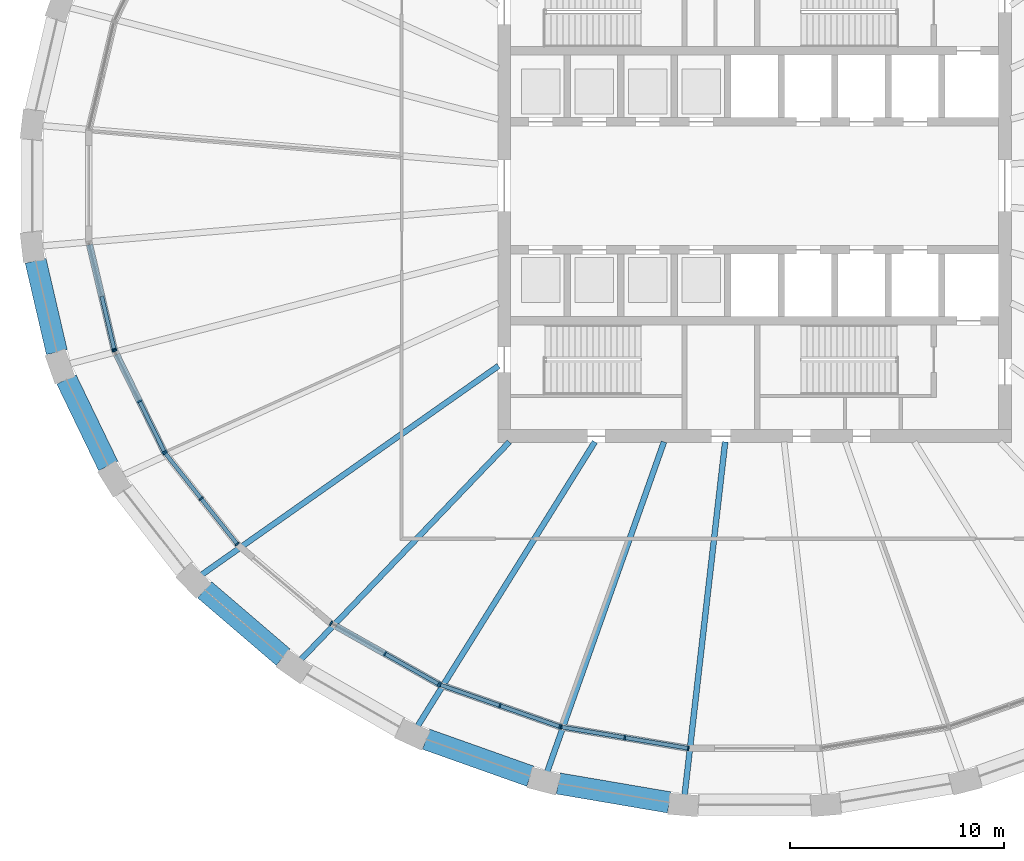
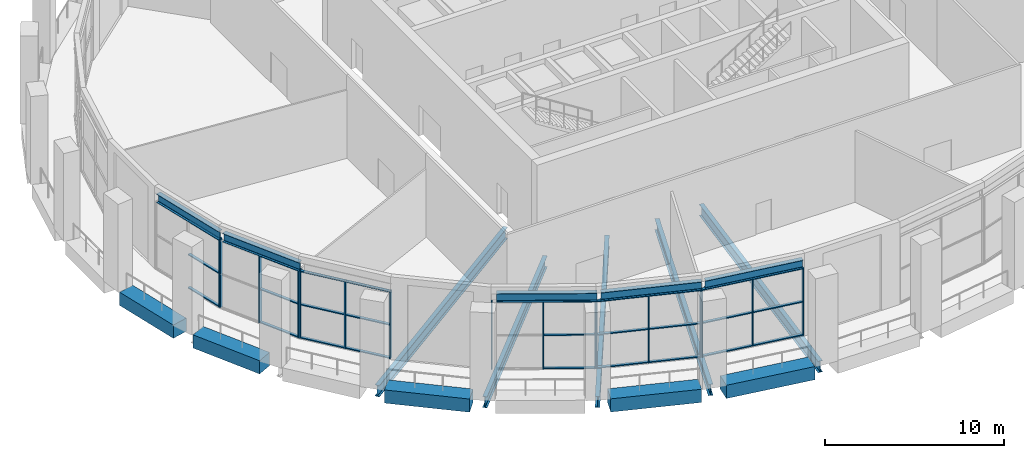
# One storey, part 2 of 19: 43 members, 15 beams, 6 elements without a shape of their own.
"""IFC4 building model written with IfcOpenShell, lengths in metres."""

from ifc_helpers import new_model, si_unit, direction, frame, origin, origin_2d, place, context, subcontext, project, spatial, rectangle, i_section, extrude, material, material_profile, profile_set, type_object, element, aggregate, save


model = new_model("IFC4")

# Units and contexts
model_context = context("Model", 3, precision=1e-05, world=origin(), true_north=direction((0.0, 1.0)))
body_context = subcontext(model_context, "Body", "Model", "MODEL_VIEW")
ifc_project = project(units=[si_unit("LENGTHUNIT", "METRE"), si_unit("AREAUNIT", "SQUARE_METRE"), si_unit("VOLUMEUNIT", "CUBIC_METRE"), si_unit("PLANEANGLEUNIT", "RADIAN"), si_unit("MASSUNIT", "GRAM", prefix="KILO")], contexts=[model_context])

# Site, building, storey
site_placement = place(None, origin())
site = spatial("IfcSite", under=ifc_project, at=site_placement, CompositionType="ELEMENT")
building_placement = place(site_placement, origin())
building = spatial("IfcBuilding", under=site, at=building_placement, Name="Halqa Exchange Tower", CompositionType="ELEMENT")
storey_placement = place(building_placement, frame((0.0, 0.0, 167.5)))
storey = spatial("IfcBuildingStorey", under=building, at=storey_placement, Name="L38", CompositionType="ELEMENT", Elevation=167.5)

# Beams
ifc_material_1 = material(Name="Steel S355", Category="steel")
ifc_material_profile_1 = material_profile(ifc_material_1, i_section(OverallWidth=0.264892578125, OverallDepth=0.7529296875, WebThickness=0.01318359375, FlangeThickness=0.01708984375, FilletRadius=0.01708984375, at=origin_2d()), Name="IPE 750x147")
ifc_profile_set_1 = profile_set([ifc_material_profile_1], Name="Steel S355")
beam_type_1 = type_object("IfcBeamType", Name="Floor beam IPE 750x147", PredefinedType="BEAM", material=ifc_profile_set_1)
beam_1_placement = place(storey_placement, frame((-11.462890625, -11.97216796875, -0.7265625), z_axis=(-0.691574751558, -0.722304896153, 0.0), x_axis=(0.722304896153, -0.691574751558, 0.0)))
element("IfcBeam", 1, at=beam_1_placement, inside=storey, type_object=beam_type_1, Name="Radial beam 21", PredefinedType="BEAM", context=body_context, shape_type="SweptSolid", body=[
    extrude(i_section(OverallWidth=0.264892578125, OverallDepth=0.7529296875, WebThickness=0.01318359375, FlangeThickness=0.01708984375, FilletRadius=0.01708984375, at=origin_2d()), origin(), (0.0, 0.0, 1.0), 14.165283203125),
])
ifc_material_profile_2 = material_profile(ifc_material_1, i_section(OverallWidth=0.26806640625, OverallDepth=0.77001953125, WebThickness=0.015625, FlangeThickness=0.025390625, FilletRadius=0.01708984375, at=origin_2d()), Name="IPE 750x196")
ifc_profile_set_2 = profile_set([ifc_material_profile_2], Name="Steel S355")
beam_type_2 = type_object("IfcBeamType", Name="Floor beam IPE 750x196", PredefinedType="BEAM", material=ifc_profile_set_2)
beam_2_placement = place(storey_placement, frame((-11.971435546875, -8.421142578125, -0.735107421875), z_axis=(-0.817908264437, -0.575348651659, 0.0), x_axis=(0.575348651659, -0.817908264437, 0.0)))
element("IfcBeam", 2, at=beam_2_placement, inside=storey, type_object=beam_type_2, Name="Radial beam 20", PredefinedType="BEAM", context=body_context, shape_type="SweptSolid", body=[
    extrude(i_section(OverallWidth=0.26806640625, OverallDepth=0.77001953125, WebThickness=0.015625, FlangeThickness=0.025390625, FilletRadius=0.01708984375, at=origin_2d()), origin(), (0.0, 0.0, 1.0), 17.04638671875),
])
beam_3_placement = place(storey_placement, frame((-7.46533203125, -11.971435546875, -0.735107421875), z_axis=(-0.529139539114, -0.848534824357, 0.0), x_axis=(0.848534824357, -0.529139539114, 0.0)))
element("IfcBeam", 3, at=beam_3_placement, inside=storey, type_object=beam_type_2, Name="Radial beam 22", PredefinedType="BEAM", context=body_context, shape_type="SweptSolid", body=[
    extrude(i_section(OverallWidth=0.26806640625, OverallDepth=0.77001953125, WebThickness=0.015625, FlangeThickness=0.025390625, FilletRadius=0.01708984375, at=origin_2d()), origin(), (0.0, 0.0, 1.0), 15.73486328125),
])
beam_4_placement = place(storey_placement, frame((-4.237060546875, -11.972412109375, -0.735107421875), z_axis=(-0.333624740658, -0.942705962865, 0.0), x_axis=(0.942705962865, -0.333624740658, 0.0)))
element("IfcBeam", 4, at=beam_4_placement, inside=storey, type_object=beam_type_2, Name="Radial beam 23", PredefinedType="BEAM", context=body_context, shape_type="SweptSolid", body=[
    extrude(i_section(OverallWidth=0.26806640625, OverallDepth=0.77001953125, WebThickness=0.015625, FlangeThickness=0.025390625, FilletRadius=0.01708984375, at=origin_2d()), origin(), (0.0, 0.0, 1.0), 16.440185546875),
])
beam_5_placement = place(storey_placement, frame((-1.37548828125, -11.97119140625, -0.735107421875), z_axis=(-0.114150878314, -0.993463425084, 0.0), x_axis=(0.993463425084, -0.114150878314, 0.0)))
element("IfcBeam", 5, at=beam_5_placement, inside=storey, type_object=beam_type_2, Name="Radial beam 24", PredefinedType="BEAM", context=body_context, shape_type="SweptSolid", body=[
    extrude(i_section(OverallWidth=0.26806640625, OverallDepth=0.77001953125, WebThickness=0.015625, FlangeThickness=0.025390625, FilletRadius=0.01708984375, at=origin_2d()), origin(), (0.0, 0.0, 1.0), 16.70361328125),
])
ifc_material_profile_3 = material_profile(ifc_material_1, i_section(OverallWidth=0.300048828125, OverallDepth=0.60009765625, WebThickness=0.015380859375, FlangeThickness=0.030029296875, FilletRadius=0.027099609375, at=origin_2d()), Name="HEB 600")
ifc_profile_set_3 = profile_set([ifc_material_profile_3], Name="Steel S355")
beam_type_3 = type_object("IfcBeamType", Name="Head beam HEB 600", PredefinedType="BEAM", material=ifc_profile_set_3)
beam_6_placement = place(storey_placement, frame((-31.084228515625, -2.74951171875, 4.89990234375), z_axis=(0.229295960918, -0.973356749762, 0.0), x_axis=(0.973356749762, 0.229295960918, 0.0)))
element("IfcBeam", 6, at=beam_6_placement, inside=storey, type_object=beam_type_3, Name="Spandrel head beam 17", PredefinedType="BEAM", context=body_context, shape_type="SweptSolid", body=[
    extrude(i_section(OverallWidth=0.300048828125, OverallDepth=0.60009765625, WebThickness=0.015380859375, FlangeThickness=0.030029296875, FilletRadius=0.027099609375, at=origin_2d()), origin(), (0.0, 0.0, 1.0), 5.037353515625),
])
beam_7_placement = place(storey_placement, frame((-29.822509765625, -7.88330078125, 4.89990234375), z_axis=(0.440464064744, -0.897770242138, 0.0), x_axis=(0.897770242138, 0.440464064744, 0.0)))
element("IfcBeam", 7, at=beam_7_placement, inside=storey, type_object=beam_type_3, Name="Spandrel head beam 18", PredefinedType="BEAM", context=body_context, shape_type="SweptSolid", body=[
    extrude(i_section(OverallWidth=0.300048828125, OverallDepth=0.60009765625, WebThickness=0.015380859375, FlangeThickness=0.030029296875, FilletRadius=0.027099609375, at=origin_2d()), origin(), (0.0, 0.0, 1.0), 5.131591796875),
])
beam_8_placement = place(storey_placement, frame((-19.561279296875, -20.585693359375, 4.89990234375), z_axis=(0.870952166168, -0.491367809535, 0.0), x_axis=(0.491367809535, 0.870952166168, 0.0)))
element("IfcBeam", 8, at=beam_8_placement, inside=storey, type_object=beam_type_3, Name="Spandrel head beam 21", PredefinedType="BEAM", context=body_context, shape_type="SweptSolid", body=[
    extrude(i_section(OverallWidth=0.300048828125, OverallDepth=0.60009765625, WebThickness=0.015380859375, FlangeThickness=0.030029296875, FilletRadius=0.027099609375, at=origin_2d()), origin(), (0.0, 0.0, 1.0), 5.60205078125),
])
beam_9_placement = place(storey_placement, frame((-14.4658203125, -23.4033203125, 4.89990234375), z_axis=(0.943946157734, -0.330099456679, 0.0), x_axis=(0.330099456679, 0.943946157734, 0.0)))
element("IfcBeam", 9, at=beam_9_placement, inside=storey, type_object=beam_type_3, Name="Spandrel head beam 22", PredefinedType="BEAM", context=body_context, shape_type="SweptSolid", body=[
    extrude(i_section(OverallWidth=0.300048828125, OverallDepth=0.60009765625, WebThickness=0.015380859375, FlangeThickness=0.030029296875, FilletRadius=0.027099609375, at=origin_2d()), origin(), (0.0, 0.0, 1.0), 5.719970703125),
])
beam_10_placement = place(storey_placement, frame((-8.847900390625, -25.3271484375, 4.89990234375), z_axis=(0.986189441938, -0.165621208213, 0.0), x_axis=(0.165621208213, 0.986189441938, 0.0)))
element("IfcBeam", 10, at=beam_10_placement, inside=storey, type_object=beam_type_3, Name="Spandrel head beam 23", PredefinedType="BEAM", context=body_context, shape_type="SweptSolid", body=[
    extrude(i_section(OverallWidth=0.300048828125, OverallDepth=0.60009765625, WebThickness=0.015380859375, FlangeThickness=0.030029296875, FilletRadius=0.027099609375, at=origin_2d()), origin(), (0.0, 0.0, 1.0), 5.797607421875),
])
ifc_material_2 = material(Name="Concrete C60/75", Category="concrete")
ifc_material_profile_4 = material_profile(ifc_material_2, rectangle(XDim=1.0, YDim=0.89990234375, at=origin_2d()), Name="1000 x 900")
ifc_profile_set_4 = profile_set([ifc_material_profile_4], Name="Concrete C60/75")
beam_type_4 = type_object("IfcBeamType", Name="RC spandrel beam 1000 x 900 C60/75", PredefinedType="SPANDREL", material=ifc_profile_set_4)
beam_11_placement = place(storey_placement, frame((-33.60498046875, -3.508056640625, -0.449951171875), z_axis=(0.226050480348, -0.974115588795, 0.0), x_axis=(0.974115588795, 0.226050480348, 0.0)))
element("IfcBeam", 11, at=beam_11_placement, inside=storey, type_object=beam_type_4, Name="Spandrel 17", PredefinedType="SPANDREL", context=body_context, shape_type="SweptSolid", body=[
    extrude(rectangle(XDim=1.0, YDim=0.89990234375, at=origin_2d()), origin(), (0.0, 0.0, 1.0), 4.385986328125),
])
beam_12_placement = place(storey_placement, frame((-32.166259765625, -9.048828125, -0.449951171875), z_axis=(0.435099717308, -0.900382272148, 0.0), x_axis=(0.900382272148, 0.435099717308, 0.0)))
element("IfcBeam", 12, at=beam_12_placement, inside=storey, type_object=beam_type_4, Name="Spandrel 18", PredefinedType="SPANDREL", context=body_context, shape_type="SweptSolid", body=[
    extrude(rectangle(XDim=1.0, YDim=0.89990234375, at=origin_2d()), origin(), (0.0, 0.0, 1.0), 4.497314453125),
])
beam_13_placement = place(storey_placement, frame((-25.70849609375, -18.884521484375, -0.449951171875), z_axis=(0.759260160399, -0.650787222394, 0.0), x_axis=(0.650787222394, 0.759260160399, 0.0)))
element("IfcBeam", 13, at=beam_13_placement, inside=storey, type_object=beam_type_4, Name="Spandrel 20", PredefinedType="SPANDREL", context=body_context, shape_type="SweptSolid", body=[
    extrude(rectangle(XDim=1.0, YDim=0.89990234375, at=origin_2d()), origin(), (0.0, 0.0, 1.0), 4.843505859375),
])
beam_14_placement = place(storey_placement, frame((-15.354248046875, -25.867919921875, -0.449951171875), z_axis=(0.942370602203, -0.334570841682, 0.0), x_axis=(0.334570841682, 0.942370602203, 0.0)))
element("IfcBeam", 14, at=beam_14_placement, inside=storey, type_object=beam_type_4, Name="Spandrel 22", PredefinedType="SPANDREL", context=body_context, shape_type="SweptSolid", body=[
    extrude(rectangle(XDim=1.0, YDim=0.89990234375, at=origin_2d()), origin(), (0.0, 0.0, 1.0), 5.169921875),
])
beam_15_placement = place(storey_placement, frame((-9.1826171875, -27.936279296875, -0.449951171875), z_axis=(0.985766792744, -0.168118500836, 0.0), x_axis=(0.168118500836, 0.985766792744, 0.0)))
element("IfcBeam", 15, at=beam_15_placement, inside=storey, type_object=beam_type_4, Name="Spandrel 23", PredefinedType="SPANDREL", context=body_context, shape_type="SweptSolid", body=[
    extrude(rectangle(XDim=1.0, YDim=0.89990234375, at=origin_2d()), origin(), (0.0, 0.0, 1.0), 5.26708984375),
])

# Curtain wall, member
ifc_material_3 = material(Name="Anodised aluminium and clear glass", Category="aluminium")
curtain_wall_type = type_object("IfcCurtainWallType", Name="Sky lobby glazing", PredefinedType="NOTDEFINED", material=ifc_material_3)
curtain_wall_1_placement = place(storey_placement, origin())
curtain_wall_1 = element("IfcCurtainWall", 16, at=curtain_wall_1_placement, inside=storey, type_object=curtain_wall_type, Name="Sky lobby glazing run G17", PredefinedType="NOTDEFINED")
ifc_material_4 = material(Name="Anodised aluminium", Category="aluminium")
ifc_material_profile_5 = material_profile(ifc_material_4, rectangle(XDim=0.219970703125, YDim=0.070068359375, at=origin_2d()), Name="AL 70x220")
ifc_profile_set_5 = profile_set([ifc_material_profile_5], Name="Anodised aluminium")
member_type_1 = type_object("IfcMemberType", Name="Sky lobby glazing mullion 70 x 220", PredefinedType="MULLION", material=ifc_profile_set_5)
member_1_placement = place(storey_placement, frame((-29.93115234375, -7.64404296875, 0.0), z_axis=(0.0, 0.0, 1.0), x_axis=(0.973351612825, 0.229317766019, 0.0)))
member_1 = element("IfcMember", 17, at=member_1_placement, type_object=member_type_1, Name="G17 mullion 3", PredefinedType="MULLION", context=body_context, shape_type="SweptSolid", body=[
    extrude(rectangle(XDim=0.219970703125, YDim=0.070068359375, at=origin_2d()), origin(), (0.0, 0.0, 1.0), 4.60009765625),
])

# Curtain wall, members
curtain_wall_2_placement = place(storey_placement, origin())
curtain_wall_2 = element("IfcCurtainWall", 18, at=curtain_wall_2_placement, inside=storey, type_object=curtain_wall_type, Name="Sky lobby glazing run G18", PredefinedType="NOTDEFINED")
member_2_placement = place(storey_placement, frame((-29.90771484375, -7.709716796875, 0.0), z_axis=(0.0, 0.0, 1.0), x_axis=(0.897780317672, 0.440443527823, 0.0)))
member_2 = element("IfcMember", 19, at=member_2_placement, type_object=member_type_1, Name="G18 mullion 1", PredefinedType="MULLION", context=body_context, shape_type="SweptSolid", body=[
    extrude(rectangle(XDim=0.219970703125, YDim=0.070068359375, at=origin_2d()), origin(), (0.0, 0.0, 1.0), 4.60009765625),
])
member_3_placement = place(storey_placement, frame((-28.74853515625, -10.072265625, 0.0), z_axis=(0.0, 0.0, 1.0), x_axis=(0.897780317672, 0.440443527823, 0.0)))
member_3 = element("IfcMember", 20, at=member_3_placement, type_object=member_type_1, Name="G18 mullion 2", PredefinedType="MULLION", context=body_context, shape_type="SweptSolid", body=[
    extrude(rectangle(XDim=0.219970703125, YDim=0.070068359375, at=origin_2d()), origin(), (0.0, 0.0, 1.0), 4.60009765625),
])
member_4_placement = place(storey_placement, frame((-27.58935546875, -12.43505859375, 0.0), z_axis=(0.0, 0.0, 1.0), x_axis=(0.897780317672, 0.440443527823, 0.0)))
member_4 = element("IfcMember", 21, at=member_4_placement, type_object=member_type_1, Name="G18 mullion 3", PredefinedType="MULLION", context=body_context, shape_type="SweptSolid", body=[
    extrude(rectangle(XDim=0.219970703125, YDim=0.070068359375, at=origin_2d()), origin(), (0.0, 0.0, 1.0), 4.60009765625),
])

curtain_wall_3_placement = place(storey_placement, origin())
curtain_wall_3 = element("IfcCurtainWall", 22, at=curtain_wall_3_placement, inside=storey, type_object=curtain_wall_type, Name="Sky lobby glazing run G19", PredefinedType="NOTDEFINED")
member_5_placement = place(storey_placement, frame((-27.55224609375, -12.493896484375, 0.0), z_axis=(0.0, 0.0, 1.0), x_axis=(0.784140319926, 0.620583563001, 0.0)))
member_5 = element("IfcMember", 23, at=member_5_placement, type_object=member_type_1, Name="G19 mullion 1", PredefinedType="MULLION", context=body_context, shape_type="SweptSolid", body=[
    extrude(rectangle(XDim=0.219970703125, YDim=0.070068359375, at=origin_2d()), origin(), (0.0, 0.0, 1.0), 4.60009765625),
])
member_6_placement = place(storey_placement, frame((-25.86962890625, -14.6201171875, 0.0), z_axis=(0.0, 0.0, 1.0), x_axis=(0.784140319926, 0.620583563001, 0.0)))
member_6 = element("IfcMember", 24, at=member_6_placement, type_object=member_type_1, Name="G19 mullion 2", PredefinedType="MULLION", context=body_context, shape_type="SweptSolid", body=[
    extrude(rectangle(XDim=0.219970703125, YDim=0.070068359375, at=origin_2d()), origin(), (0.0, 0.0, 1.0), 4.60009765625),
])
member_7_placement = place(storey_placement, frame((-24.18701171875, -16.746337890625, 0.0), z_axis=(0.0, 0.0, 1.0), x_axis=(0.784140319926, 0.620583563001, 0.0)))
member_7 = element("IfcMember", 25, at=member_7_placement, type_object=member_type_1, Name="G19 mullion 3", PredefinedType="MULLION", context=body_context, shape_type="SweptSolid", body=[
    extrude(rectangle(XDim=0.219970703125, YDim=0.070068359375, at=origin_2d()), origin(), (0.0, 0.0, 1.0), 4.60009765625),
])

curtain_wall_4_placement = place(storey_placement, origin())
curtain_wall_4 = element("IfcCurtainWall", 26, at=curtain_wall_4_placement, inside=storey, type_object=curtain_wall_type, Name="Sky lobby glazing run G21", PredefinedType="NOTDEFINED")
member_8_placement = place(storey_placement, frame((-19.798583984375, -20.451904296875, 0.0), z_axis=(0.0, 0.0, 1.0), x_axis=(0.491353762941, 0.87096009073, 0.0)))
member_8 = element("IfcMember", 27, at=member_8_placement, type_object=member_type_1, Name="G21 mullion 1", PredefinedType="MULLION", context=body_context, shape_type="SweptSolid", body=[
    extrude(rectangle(XDim=0.219970703125, YDim=0.070068359375, at=origin_2d()), origin(), (0.0, 0.0, 1.0), 4.60009765625),
])
member_9_placement = place(storey_placement, frame((-17.28076171875, -21.872314453125, 0.0), z_axis=(0.0, 0.0, 1.0), x_axis=(0.491353762941, 0.87096009073, 0.0)))
member_9 = element("IfcMember", 28, at=member_9_placement, type_object=member_type_1, Name="G21 mullion 2", PredefinedType="MULLION", context=body_context, shape_type="SweptSolid", body=[
    extrude(rectangle(XDim=0.219970703125, YDim=0.070068359375, at=origin_2d()), origin(), (0.0, 0.0, 1.0), 4.60009765625),
])
member_10_placement = place(storey_placement, frame((-14.762939453125, -23.292724609375, 0.0), z_axis=(0.0, 0.0, 1.0), x_axis=(0.491353762941, 0.87096009073, 0.0)))
member_10 = element("IfcMember", 29, at=member_10_placement, type_object=member_type_1, Name="G21 mullion 3", PredefinedType="MULLION", context=body_context, shape_type="SweptSolid", body=[
    extrude(rectangle(XDim=0.219970703125, YDim=0.070068359375, at=origin_2d()), origin(), (0.0, 0.0, 1.0), 4.60009765625),
])

curtain_wall_5_placement = place(storey_placement, origin())
curtain_wall_5 = element("IfcCurtainWall", 30, at=curtain_wall_5_placement, inside=storey, type_object=curtain_wall_type, Name="Sky lobby glazing run G22", PredefinedType="NOTDEFINED")
member_11_placement = place(storey_placement, frame((-14.699462890625, -23.321533203125, 0.0), z_axis=(0.0, 0.0, 1.0), x_axis=(0.330100113683, 0.943945927978, 0.0)))
member_11 = element("IfcMember", 31, at=member_11_placement, type_object=member_type_1, Name="G22 mullion 1", PredefinedType="MULLION", context=body_context, shape_type="SweptSolid", body=[
    extrude(rectangle(XDim=0.219970703125, YDim=0.070068359375, at=origin_2d()), origin(), (0.0, 0.0, 1.0), 4.60009765625),
])
member_12_placement = place(storey_placement, frame((-11.90185546875, -24.2998046875, 0.0), z_axis=(0.0, 0.0, 1.0), x_axis=(0.330100113683, 0.943945927978, 0.0)))
member_12 = element("IfcMember", 32, at=member_12_placement, type_object=member_type_1, Name="G22 mullion 2", PredefinedType="MULLION", context=body_context, shape_type="SweptSolid", body=[
    extrude(rectangle(XDim=0.219970703125, YDim=0.070068359375, at=origin_2d()), origin(), (0.0, 0.0, 1.0), 4.60009765625),
])
member_13_placement = place(storey_placement, frame((-9.1044921875, -25.278076171875, 0.0), z_axis=(0.0, 0.0, 1.0), x_axis=(0.330100113683, 0.943945927978, 0.0)))
member_13 = element("IfcMember", 33, at=member_13_placement, type_object=member_type_1, Name="G22 mullion 3", PredefinedType="MULLION", context=body_context, shape_type="SweptSolid", body=[
    extrude(rectangle(XDim=0.219970703125, YDim=0.070068359375, at=origin_2d()), origin(), (0.0, 0.0, 1.0), 4.60009765625),
])

curtain_wall_6_placement = place(storey_placement, origin())
curtain_wall_6 = element("IfcCurtainWall", 34, at=curtain_wall_6_placement, inside=storey, type_object=curtain_wall_type, Name="Sky lobby glazing run G23", PredefinedType="NOTDEFINED")
member_14_placement = place(storey_placement, frame((-9.036865234375, -25.29541015625, 0.0), z_axis=(0.0, 0.0, 1.0), x_axis=(0.165625859626, 0.986188660766, 0.0)))
member_14 = element("IfcMember", 35, at=member_14_placement, type_object=member_type_1, Name="G23 mullion 1", PredefinedType="MULLION", context=body_context, shape_type="SweptSolid", body=[
    extrude(rectangle(XDim=0.219970703125, YDim=0.070068359375, at=origin_2d()), origin(), (0.0, 0.0, 1.0), 4.60009765625),
])
member_15_placement = place(storey_placement, frame((-6.067138671875, -25.794189453125, 0.0), z_axis=(0.0, 0.0, 1.0), x_axis=(0.165625859626, 0.986188660766, 0.0)))
member_15 = element("IfcMember", 36, at=member_15_placement, type_object=member_type_1, Name="G23 mullion 2", PredefinedType="MULLION", context=body_context, shape_type="SweptSolid", body=[
    extrude(rectangle(XDim=0.219970703125, YDim=0.070068359375, at=origin_2d()), origin(), (0.0, 0.0, 1.0), 4.60009765625),
])
member_16_placement = place(storey_placement, frame((-3.097412109375, -26.29296875, 0.0), z_axis=(0.0, 0.0, 1.0), x_axis=(0.165625859626, 0.986188660766, 0.0)))
member_16 = element("IfcMember", 37, at=member_16_placement, type_object=member_type_1, Name="G23 mullion 3", PredefinedType="MULLION", context=body_context, shape_type="SweptSolid", body=[
    extrude(rectangle(XDim=0.219970703125, YDim=0.070068359375, at=origin_2d()), origin(), (0.0, 0.0, 1.0), 4.60009765625),
])

# Member
ifc_material_profile_6 = material_profile(ifc_material_4, rectangle(XDim=0.179931640625, YDim=0.070068359375, at=origin_2d()), Name="AL 70x180")
ifc_profile_set_6 = profile_set([ifc_material_profile_6], Name="Anodised aluminium")
member_type_2 = type_object("IfcMemberType", Name="Sky lobby glazing transom 70 x 180", PredefinedType="USERDEFINED", material=ifc_profile_set_6)
member_17_placement = place(storey_placement, frame((-30.51416015625, -5.169677734375, 0.034912109375), z_axis=(0.229316122458, -0.973352000039, 0.0), x_axis=(0.973352000039, 0.229316122458, 0.0)))
member_17 = element("IfcMember", 38, at=member_17_placement, type_object=member_type_2, Name="G17 transom 2.1", ObjectType="TRANSOM", PredefinedType="USERDEFINED", context=body_context, shape_type="SweptSolid", body=[
    extrude(rectangle(XDim=0.179931640625, YDim=0.070068359375, at=origin_2d()), origin(), (0.0, 0.0, 1.0), 2.50732421875),
])

member_18_placement = place(storey_placement, frame((-30.51416015625, -5.169677734375, 2.300048828125), z_axis=(0.229316122458, -0.973352000039, 0.0), x_axis=(0.973352000039, 0.229316122458, 0.0)))
member_18 = element("IfcMember", 39, at=member_18_placement, type_object=member_type_2, Name="G17 transom 2.2", ObjectType="TRANSOM", PredefinedType="USERDEFINED", context=body_context, shape_type="SweptSolid", body=[
    extrude(rectangle(XDim=0.179931640625, YDim=0.070068359375, at=origin_2d()), origin(), (0.0, 0.0, 1.0), 2.50732421875),
])

member_19_placement = place(storey_placement, frame((-30.51416015625, -5.169677734375, 4.56494140625), z_axis=(0.229316122458, -0.973352000039, 0.0), x_axis=(0.973352000039, 0.229316122458, 0.0)))
member_19 = element("IfcMember", 40, at=member_19_placement, type_object=member_type_2, Name="G17 transom 2.3", ObjectType="TRANSOM", PredefinedType="USERDEFINED", context=body_context, shape_type="SweptSolid", body=[
    extrude(rectangle(XDim=0.179931640625, YDim=0.070068359375, at=origin_2d()), origin(), (0.0, 0.0, 1.0), 2.50732421875),
])

aggregate(curtain_wall_1, [member_1, member_17, member_18, member_19])

member_20_placement = place(storey_placement, frame((-28.733154296875, -10.103759765625, 0.034912109375), z_axis=(0.440491663702, -0.897756701011, 0.0), x_axis=(0.897756701011, 0.440491663702, 0.0)))
member_20 = element("IfcMember", 41, at=member_20_placement, type_object=member_type_2, Name="G18 transom 2.1", ObjectType="TRANSOM", PredefinedType="USERDEFINED", context=body_context, shape_type="SweptSolid", body=[
    extrude(rectangle(XDim=0.179931640625, YDim=0.070068359375, at=origin_2d()), origin(), (0.0, 0.0, 1.0), 2.561767578125),
])

member_21_placement = place(storey_placement, frame((-28.733154296875, -10.103759765625, 2.300048828125), z_axis=(0.440491663702, -0.897756701011, 0.0), x_axis=(0.897756701011, 0.440491663702, 0.0)))
member_21 = element("IfcMember", 42, at=member_21_placement, type_object=member_type_2, Name="G18 transom 2.2", ObjectType="TRANSOM", PredefinedType="USERDEFINED", context=body_context, shape_type="SweptSolid", body=[
    extrude(rectangle(XDim=0.179931640625, YDim=0.070068359375, at=origin_2d()), origin(), (0.0, 0.0, 1.0), 2.561767578125),
])

member_22_placement = place(storey_placement, frame((-28.733154296875, -10.103759765625, 4.56494140625), z_axis=(0.440491663702, -0.897756701011, 0.0), x_axis=(0.897756701011, 0.440491663702, 0.0)))
member_22 = element("IfcMember", 43, at=member_22_placement, type_object=member_type_2, Name="G18 transom 2.3", ObjectType="TRANSOM", PredefinedType="USERDEFINED", context=body_context, shape_type="SweptSolid", body=[
    extrude(rectangle(XDim=0.179931640625, YDim=0.070068359375, at=origin_2d()), origin(), (0.0, 0.0, 1.0), 2.561767578125),
])

aggregate(curtain_wall_2, [member_2, member_3, member_4, member_20, member_21, member_22])

member_23_placement = place(storey_placement, frame((-27.530517578125, -12.521484375, 0.034912109375), z_axis=(0.620560889175, -0.78415826389, 0.0), x_axis=(0.78415826389, 0.620560889175, 0.0)))
member_23 = element("IfcMember", 44, at=member_23_placement, type_object=member_type_2, Name="G19 transom 1.1", ObjectType="TRANSOM", PredefinedType="USERDEFINED", context=body_context, shape_type="SweptSolid", body=[
    extrude(rectangle(XDim=0.179931640625, YDim=0.070068359375, at=origin_2d()), origin(), (0.0, 0.0, 1.0), 2.641357421875),
])

member_24_placement = place(storey_placement, frame((-27.530517578125, -12.521484375, 2.300048828125), z_axis=(0.620560889175, -0.78415826389, 0.0), x_axis=(0.78415826389, 0.620560889175, 0.0)))
member_24 = element("IfcMember", 45, at=member_24_placement, type_object=member_type_2, Name="G19 transom 1.2", ObjectType="TRANSOM", PredefinedType="USERDEFINED", context=body_context, shape_type="SweptSolid", body=[
    extrude(rectangle(XDim=0.179931640625, YDim=0.070068359375, at=origin_2d()), origin(), (0.0, 0.0, 1.0), 2.641357421875),
])

member_25_placement = place(storey_placement, frame((-27.530517578125, -12.521484375, 4.56494140625), z_axis=(0.620560889175, -0.78415826389, 0.0), x_axis=(0.78415826389, 0.620560889175, 0.0)))
member_25 = element("IfcMember", 46, at=member_25_placement, type_object=member_type_2, Name="G19 transom 1.3", ObjectType="TRANSOM", PredefinedType="USERDEFINED", context=body_context, shape_type="SweptSolid", body=[
    extrude(rectangle(XDim=0.179931640625, YDim=0.070068359375, at=origin_2d()), origin(), (0.0, 0.0, 1.0), 2.641357421875),
])

member_26_placement = place(storey_placement, frame((-25.847900390625, -14.6474609375, 0.034912109375), z_axis=(0.620560889175, -0.78415826389, 0.0), x_axis=(0.78415826389, 0.620560889175, 0.0)))
member_26 = element("IfcMember", 47, at=member_26_placement, type_object=member_type_2, Name="G19 transom 2.1", ObjectType="TRANSOM", PredefinedType="USERDEFINED", context=body_context, shape_type="SweptSolid", body=[
    extrude(rectangle(XDim=0.179931640625, YDim=0.070068359375, at=origin_2d()), origin(), (0.0, 0.0, 1.0), 2.641357421875),
])

member_27_placement = place(storey_placement, frame((-25.847900390625, -14.6474609375, 2.300048828125), z_axis=(0.620560889175, -0.78415826389, 0.0), x_axis=(0.78415826389, 0.620560889175, 0.0)))
member_27 = element("IfcMember", 48, at=member_27_placement, type_object=member_type_2, Name="G19 transom 2.2", ObjectType="TRANSOM", PredefinedType="USERDEFINED", context=body_context, shape_type="SweptSolid", body=[
    extrude(rectangle(XDim=0.179931640625, YDim=0.070068359375, at=origin_2d()), origin(), (0.0, 0.0, 1.0), 2.641357421875),
])

member_28_placement = place(storey_placement, frame((-25.847900390625, -14.6474609375, 4.56494140625), z_axis=(0.620560889175, -0.78415826389, 0.0), x_axis=(0.78415826389, 0.620560889175, 0.0)))
member_28 = element("IfcMember", 49, at=member_28_placement, type_object=member_type_2, Name="G19 transom 2.3", ObjectType="TRANSOM", PredefinedType="USERDEFINED", context=body_context, shape_type="SweptSolid", body=[
    extrude(rectangle(XDim=0.179931640625, YDim=0.070068359375, at=origin_2d()), origin(), (0.0, 0.0, 1.0), 2.641357421875),
])

aggregate(curtain_wall_3, [member_5, member_6, member_7, member_23, member_24, member_25, member_26, member_27, member_28])

member_29_placement = place(storey_placement, frame((-17.250244140625, -21.889404296875, 0.034912109375), z_axis=(0.870962322605, -0.49134980676, 0.0), x_axis=(0.49134980676, 0.870962322605, 0.0)))
member_29 = element("IfcMember", 50, at=member_29_placement, type_object=member_type_2, Name="G21 transom 2.1", ObjectType="TRANSOM", PredefinedType="USERDEFINED", context=body_context, shape_type="SweptSolid", body=[
    extrude(rectangle(XDim=0.179931640625, YDim=0.070068359375, at=origin_2d()), origin(), (0.0, 0.0, 1.0), 2.82080078125),
])

member_30_placement = place(storey_placement, frame((-17.250244140625, -21.889404296875, 2.300048828125), z_axis=(0.870962322605, -0.49134980676, 0.0), x_axis=(0.49134980676, 0.870962322605, 0.0)))
member_30 = element("IfcMember", 51, at=member_30_placement, type_object=member_type_2, Name="G21 transom 2.2", ObjectType="TRANSOM", PredefinedType="USERDEFINED", context=body_context, shape_type="SweptSolid", body=[
    extrude(rectangle(XDim=0.179931640625, YDim=0.070068359375, at=origin_2d()), origin(), (0.0, 0.0, 1.0), 2.82080078125),
])

member_31_placement = place(storey_placement, frame((-17.250244140625, -21.889404296875, 4.56494140625), z_axis=(0.870962322605, -0.49134980676, 0.0), x_axis=(0.49134980676, 0.870962322605, 0.0)))
member_31 = element("IfcMember", 52, at=member_31_placement, type_object=member_type_2, Name="G21 transom 2.3", ObjectType="TRANSOM", PredefinedType="USERDEFINED", context=body_context, shape_type="SweptSolid", body=[
    extrude(rectangle(XDim=0.179931640625, YDim=0.070068359375, at=origin_2d()), origin(), (0.0, 0.0, 1.0), 2.82080078125),
])

aggregate(curtain_wall_4, [member_8, member_9, member_10, member_29, member_30, member_31])

member_32_placement = place(storey_placement, frame((-14.66650390625, -23.3330078125, 0.034912109375), z_axis=(0.943958282215, -0.330064783699, 0.0), x_axis=(0.330064783699, 0.943958282215, 0.0)))
member_32 = element("IfcMember", 53, at=member_32_placement, type_object=member_type_2, Name="G22 transom 1.1", ObjectType="TRANSOM", PredefinedType="USERDEFINED", context=body_context, shape_type="SweptSolid", body=[
    extrude(rectangle(XDim=0.179931640625, YDim=0.070068359375, at=origin_2d()), origin(), (0.0, 0.0, 1.0), 2.8935546875),
])

member_33_placement = place(storey_placement, frame((-14.66650390625, -23.3330078125, 2.300048828125), z_axis=(0.943958282215, -0.330064783699, 0.0), x_axis=(0.330064783699, 0.943958282215, 0.0)))
member_33 = element("IfcMember", 54, at=member_33_placement, type_object=member_type_2, Name="G22 transom 1.2", ObjectType="TRANSOM", PredefinedType="USERDEFINED", context=body_context, shape_type="SweptSolid", body=[
    extrude(rectangle(XDim=0.179931640625, YDim=0.070068359375, at=origin_2d()), origin(), (0.0, 0.0, 1.0), 2.8935546875),
])

member_34_placement = place(storey_placement, frame((-14.66650390625, -23.3330078125, 4.56494140625), z_axis=(0.943958282215, -0.330064783699, 0.0), x_axis=(0.330064783699, 0.943958282215, 0.0)))
member_34 = element("IfcMember", 55, at=member_34_placement, type_object=member_type_2, Name="G22 transom 1.3", ObjectType="TRANSOM", PredefinedType="USERDEFINED", context=body_context, shape_type="SweptSolid", body=[
    extrude(rectangle(XDim=0.179931640625, YDim=0.070068359375, at=origin_2d()), origin(), (0.0, 0.0, 1.0), 2.8935546875),
])

member_35_placement = place(storey_placement, frame((-11.868896484375, -24.311279296875, 0.034912109375), z_axis=(0.943931992269, -0.330139961186, 0.0), x_axis=(0.330139961186, 0.943931992269, 0.0)))
member_35 = element("IfcMember", 56, at=member_35_placement, type_object=member_type_2, Name="G22 transom 2.1", ObjectType="TRANSOM", PredefinedType="USERDEFINED", context=body_context, shape_type="SweptSolid", body=[
    extrude(rectangle(XDim=0.179931640625, YDim=0.070068359375, at=origin_2d()), origin(), (0.0, 0.0, 1.0), 2.893798828125),
])

member_36_placement = place(storey_placement, frame((-11.868896484375, -24.311279296875, 2.300048828125), z_axis=(0.943931992269, -0.330139961186, 0.0), x_axis=(0.330139961186, 0.943931992269, 0.0)))
member_36 = element("IfcMember", 57, at=member_36_placement, type_object=member_type_2, Name="G22 transom 2.2", ObjectType="TRANSOM", PredefinedType="USERDEFINED", context=body_context, shape_type="SweptSolid", body=[
    extrude(rectangle(XDim=0.179931640625, YDim=0.070068359375, at=origin_2d()), origin(), (0.0, 0.0, 1.0), 2.893798828125),
])

member_37_placement = place(storey_placement, frame((-11.868896484375, -24.311279296875, 4.56494140625), z_axis=(0.943931992269, -0.330139961186, 0.0), x_axis=(0.330139961186, 0.943931992269, 0.0)))
member_37 = element("IfcMember", 58, at=member_37_placement, type_object=member_type_2, Name="G22 transom 2.3", ObjectType="TRANSOM", PredefinedType="USERDEFINED", context=body_context, shape_type="SweptSolid", body=[
    extrude(rectangle(XDim=0.179931640625, YDim=0.070068359375, at=origin_2d()), origin(), (0.0, 0.0, 1.0), 2.893798828125),
])

aggregate(curtain_wall_5, [member_11, member_12, member_13, member_32, member_33, member_34, member_35, member_36, member_37])

member_38_placement = place(storey_placement, frame((-9.00244140625, -25.30126953125, 0.034912109375), z_axis=(0.986195809365, -0.165583288982, 0.0), x_axis=(0.165583288982, 0.986195809365, 0.0)))
member_38 = element("IfcMember", 59, at=member_38_placement, type_object=member_type_2, Name="G23 transom 1.1", ObjectType="TRANSOM", PredefinedType="USERDEFINED", context=body_context, shape_type="SweptSolid", body=[
    extrude(rectangle(XDim=0.179931640625, YDim=0.070068359375, at=origin_2d()), origin(), (0.0, 0.0, 1.0), 2.94140625),
])

member_39_placement = place(storey_placement, frame((-9.00244140625, -25.30126953125, 2.300048828125), z_axis=(0.986195809365, -0.165583288982, 0.0), x_axis=(0.165583288982, 0.986195809365, 0.0)))
member_39 = element("IfcMember", 60, at=member_39_placement, type_object=member_type_2, Name="G23 transom 1.2", ObjectType="TRANSOM", PredefinedType="USERDEFINED", context=body_context, shape_type="SweptSolid", body=[
    extrude(rectangle(XDim=0.179931640625, YDim=0.070068359375, at=origin_2d()), origin(), (0.0, 0.0, 1.0), 2.94140625),
])

member_40_placement = place(storey_placement, frame((-9.00244140625, -25.30126953125, 4.56494140625), z_axis=(0.986195809365, -0.165583288982, 0.0), x_axis=(0.165583288982, 0.986195809365, 0.0)))
member_40 = element("IfcMember", 61, at=member_40_placement, type_object=member_type_2, Name="G23 transom 1.3", ObjectType="TRANSOM", PredefinedType="USERDEFINED", context=body_context, shape_type="SweptSolid", body=[
    extrude(rectangle(XDim=0.179931640625, YDim=0.070068359375, at=origin_2d()), origin(), (0.0, 0.0, 1.0), 2.94140625),
])

member_41_placement = place(storey_placement, frame((-6.03271484375, -25.800048828125, 0.034912109375), z_axis=(0.986195809365, -0.165583288982, 0.0), x_axis=(0.165583288982, 0.986195809365, 0.0)))
member_41 = element("IfcMember", 62, at=member_41_placement, type_object=member_type_2, Name="G23 transom 2.1", ObjectType="TRANSOM", PredefinedType="USERDEFINED", context=body_context, shape_type="SweptSolid", body=[
    extrude(rectangle(XDim=0.179931640625, YDim=0.070068359375, at=origin_2d()), origin(), (0.0, 0.0, 1.0), 2.94140625),
])

member_42_placement = place(storey_placement, frame((-6.03271484375, -25.800048828125, 2.300048828125), z_axis=(0.986195809365, -0.165583288982, 0.0), x_axis=(0.165583288982, 0.986195809365, 0.0)))
member_42 = element("IfcMember", 63, at=member_42_placement, type_object=member_type_2, Name="G23 transom 2.2", ObjectType="TRANSOM", PredefinedType="USERDEFINED", context=body_context, shape_type="SweptSolid", body=[
    extrude(rectangle(XDim=0.179931640625, YDim=0.070068359375, at=origin_2d()), origin(), (0.0, 0.0, 1.0), 2.94140625),
])

member_43_placement = place(storey_placement, frame((-6.03271484375, -25.800048828125, 4.56494140625), z_axis=(0.986195809365, -0.165583288982, 0.0), x_axis=(0.165583288982, 0.986195809365, 0.0)))
member_43 = element("IfcMember", 64, at=member_43_placement, type_object=member_type_2, Name="G23 transom 2.3", ObjectType="TRANSOM", PredefinedType="USERDEFINED", context=body_context, shape_type="SweptSolid", body=[
    extrude(rectangle(XDim=0.179931640625, YDim=0.070068359375, at=origin_2d()), origin(), (0.0, 0.0, 1.0), 2.94140625),
])

aggregate(curtain_wall_6, [member_14, member_15, member_16, member_38, member_39, member_40, member_41, member_42, member_43])

save(model, "model.ifc")
